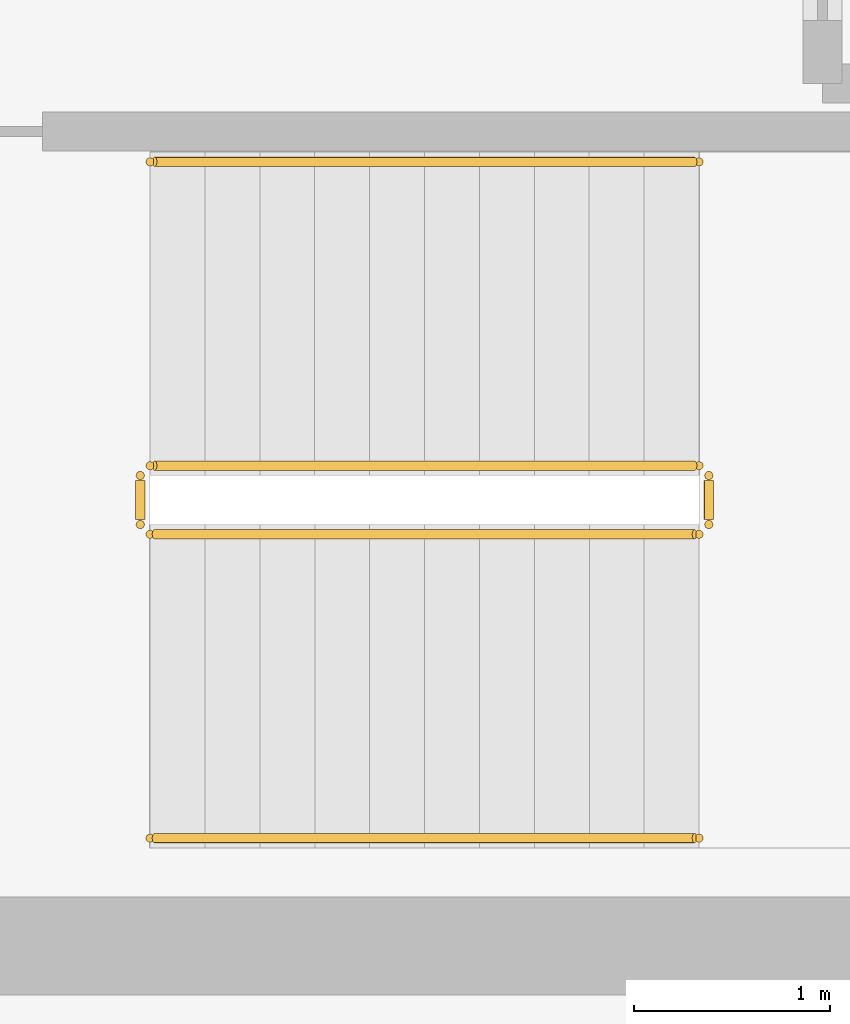
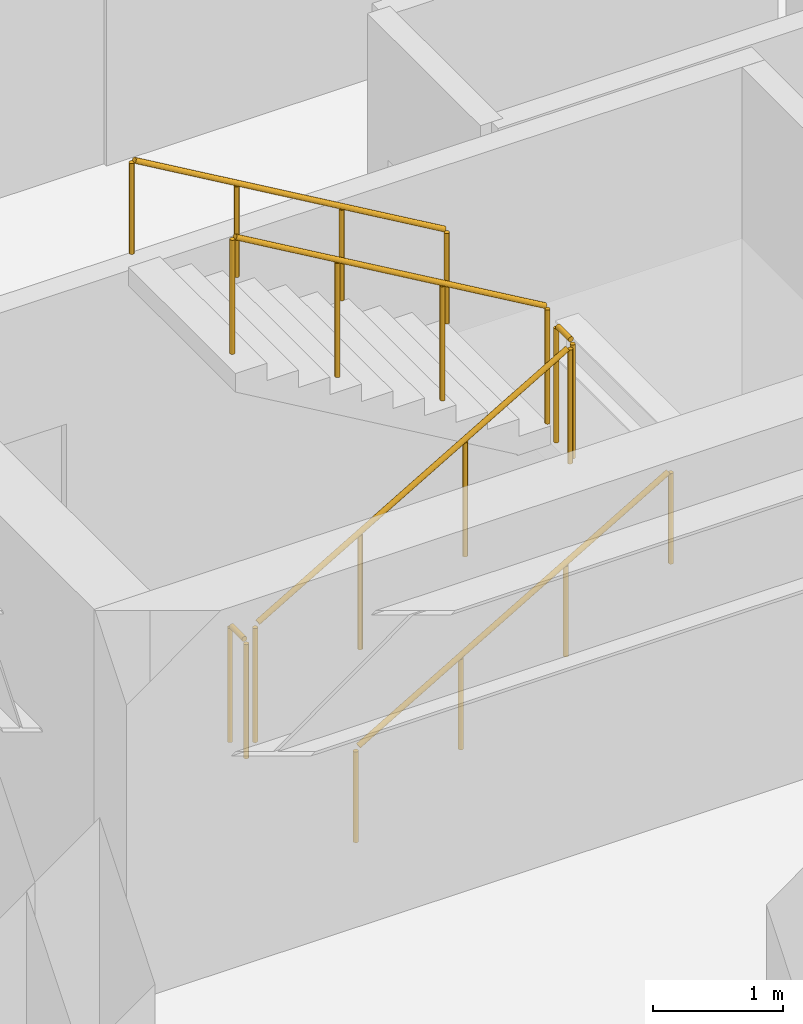
# One storey, part 11 of 11: 6 railings.
"""IFC4 building model written with IfcOpenShell, lengths in metres."""

from ifc_helpers import new_model, si_unit, direction, frame, origin, origin_2d, place, context, subcontext, project, spatial, circle, extrude, source, transform, mapped, material, layer, layer_set, type_object, element, save


model = new_model("IFC4")

# Units and contexts
model_context = context("Model", 3, precision=1e-05, world=origin(), true_north=direction((0.0, 1.0)))
body_context = subcontext(model_context, "Body", "Model", "MODEL_VIEW")
ifc_project = project(units=[si_unit("LENGTHUNIT", "METRE"), si_unit("AREAUNIT", "SQUARE_METRE"), si_unit("VOLUMEUNIT", "CUBIC_METRE"), si_unit("PLANEANGLEUNIT", "RADIAN"), si_unit("MASSUNIT", "GRAM", prefix="KILO")], contexts=[model_context])

# Site, building, storey
site_placement = place(None, origin())
site = spatial("IfcSite", under=ifc_project, at=site_placement, CompositionType="ELEMENT")
building_placement = place(site_placement, origin())
building = spatial("IfcBuilding", under=site, at=building_placement, Name="Kharzan Plaza Tower", CompositionType="ELEMENT")
storey_placement = place(building_placement, frame((0.0, 0.0, 234.0)))
storey = spatial("IfcBuildingStorey", under=building, at=storey_placement, Name="L63", CompositionType="ELEMENT", Elevation=234.0)

# Railings
ifc_material_1 = material(Name="Painted Galvanized Architectural Steel", Category="steel")
ifc_layer_1 = layer(ifc_material_1, 0.074951171875)
ifc_layer_set_1 = layer_set([ifc_layer_1], Name="Painted Galvanized Architectural Steel")
railing_type_1 = type_object("IfcRailingType", Name="RL-GUARD-1120", PredefinedType="BALUSTRADE", material=ifc_layer_set_1)
shared_shape_1 = source(origin(), body_context, "Body", "SweptSolid", [
    extrude(circle(Radius=0.02392578125, at=origin_2d()), frame((0.0, 0.0263671875, 1.09619140625), z_axis=(0.0, 1.0, 0.0), x_axis=(-1.0, 0.0, 0.0)), (0.0, 0.0, 1.0), 0.197021484375),
    extrude(circle(Radius=0.02099609375, at=origin_2d()), origin(), (0.0, 0.0, 1.0), 1.072021484375),
    extrude(circle(Radius=0.02099609375, at=origin_2d()), frame((0.0, 0.25, 0.0)), (0.0, 0.0, 1.0), 1.072021484375),
])
for number, where, name in (
    (1, (41.10009765625, 6.64990234375, 1.800048828125), "L63 ST-3 stair guard 2"),
    (2, (38.199951171875, 6.64990234375, 0.0), "L63 ST-3 stair guard 4"),
):
    element("IfcRailing", number, at=place(storey_placement, frame(where)), inside=storey, type_object=railing_type_1, Name=name, PredefinedType="BALUSTRADE", context=body_context, shape_type="MappedRepresentation", body=[
        mapped(shared_shape_1, transform((0.0, 0.0, 0.0), x_axis=(1.0, 0.0, 0.0), y_axis=(0.0, 1.0, 0.0), z_axis=(0.0, 0.0, 1.0))),
    ])
shared_shape_2 = source(origin(), body_context, "Body", "SweptSolid", [
    extrude(circle(Radius=0.02392578125, at=origin_2d()), frame((0.02294921875, 0.0, 1.109375), z_axis=(0.863360870873, 0.0, 0.504586966384), x_axis=(0.0, 1.0, 0.0)), (0.0, 0.0, 1.0), 3.190185546875),
    extrude(circle(Radius=0.02099609375, at=origin_2d()), origin(), (0.0, 0.0, 1.0), 1.072021484375),
    extrude(circle(Radius=0.02099609375, at=origin_2d()), frame((0.933349609375, 0.0, 0.54541015625)), (0.0, 0.0, 1.0), 1.072021484375),
    extrude(circle(Radius=0.02099609375, at=origin_2d()), frame((1.86669921875, 0.0, 1.091064453125)), (0.0, 0.0, 1.0), 1.072021484375),
    extrude(circle(Radius=0.02099609375, at=origin_2d()), frame((2.800048828125, 0.0, 1.636474609375)), (0.0, 0.0, 1.0), 1.072021484375),
])
railing_1_placement = place(storey_placement, frame((38.25, 6.60009765625, 0.16357421875)))
element("IfcRailing", 3, at=railing_1_placement, inside=storey, type_object=railing_type_1, Name="L63 ST-3 stair guard 1", PredefinedType="BALUSTRADE", context=body_context, shape_type="MappedRepresentation", body=[
    mapped(shared_shape_2, transform((0.0, 0.0, 0.0), x_axis=(1.0, 0.0, 0.0), y_axis=(0.0, 1.0, 0.0), z_axis=(0.0, 0.0, 1.0))),
])
shared_shape_3 = source(origin(), body_context, "Body", "SweptSolid", [
    extrude(circle(Radius=0.02392578125, at=origin_2d()), frame((-0.02294921875, 0.0, 1.109375), z_axis=(-0.863360870873, 0.0, 0.504586966384), x_axis=(0.0, -1.0, 0.0)), (0.0, 0.0, 1.0), 3.190185546875),
    extrude(circle(Radius=0.02099609375, at=origin_2d()), origin(), (0.0, 0.0, 1.0), 1.072021484375),
    extrude(circle(Radius=0.02099609375, at=origin_2d()), frame((-0.933349609375, 0.0, 0.54541015625)), (0.0, 0.0, 1.0), 1.072021484375),
    extrude(circle(Radius=0.02099609375, at=origin_2d()), frame((-1.86669921875, 0.0, 1.091064453125)), (0.0, 0.0, 1.0), 1.072021484375),
    extrude(circle(Radius=0.02099609375, at=origin_2d()), frame((-2.800048828125, 0.0, 1.636474609375)), (0.0, 0.0, 1.0), 1.072021484375),
])
railing_2_placement = place(storey_placement, frame((41.050048828125, 6.949951171875, 1.963623046875)))
element("IfcRailing", 4, at=railing_2_placement, inside=storey, type_object=railing_type_1, Name="L63 ST-3 stair guard 3", PredefinedType="BALUSTRADE", context=body_context, shape_type="MappedRepresentation", body=[
    mapped(shared_shape_3, transform((0.0, 0.0, 0.0), x_axis=(1.0, 0.0, 0.0), y_axis=(0.0, 1.0, 0.0), z_axis=(0.0, 0.0, 1.0))),
])
ifc_material_2 = material(Name="Brushed Stainless Steel", Category="steel")
ifc_layer_2 = layer(ifc_material_2, 0.050048828125)
ifc_layer_set_2 = layer_set([ifc_layer_2], Name="Brushed Stainless Steel")
railing_type_2 = type_object("IfcRailingType", Name="RL-STAIR-HR920", PredefinedType="HANDRAIL", material=ifc_layer_set_2)
shared_shape_4 = source(origin(), body_context, "Body", "SweptSolid", [
    extrude(circle(Radius=0.02392578125, at=origin_2d()), frame((0.02294921875, 0.0, 0.88916015625), z_axis=(0.863360870873, 0.0, 0.504586966384), x_axis=(0.0, 1.0, 0.0)), (0.0, 0.0, 1.0), 3.190185546875),
    extrude(circle(Radius=0.02099609375, at=origin_2d()), origin(), (0.0, 0.0, 1.0), 0.851806640625),
    extrude(circle(Radius=0.02099609375, at=origin_2d()), frame((0.933349609375, 0.0, 0.54541015625)), (0.0, 0.0, 1.0), 0.851806640625),
    extrude(circle(Radius=0.02099609375, at=origin_2d()), frame((1.86669921875, 0.0, 1.091064453125)), (0.0, 0.0, 1.0), 0.851806640625),
    extrude(circle(Radius=0.02099609375, at=origin_2d()), frame((2.800048828125, 0.0, 1.636474609375)), (0.0, 0.0, 1.0), 0.851806640625),
])
railing_3_placement = place(storey_placement, frame((38.25, 5.050048828125, 0.16357421875)))
element("IfcRailing", 5, at=railing_3_placement, inside=storey, type_object=railing_type_2, Name="L63 ST-3 stair handrail 1", PredefinedType="HANDRAIL", context=body_context, shape_type="MappedRepresentation", body=[
    mapped(shared_shape_4, transform((0.0, 0.0, 0.0), x_axis=(1.0, 0.0, 0.0), y_axis=(0.0, 1.0, 0.0), z_axis=(0.0, 0.0, 1.0))),
])
shared_shape_5 = source(origin(), body_context, "Body", "SweptSolid", [
    extrude(circle(Radius=0.02392578125, at=origin_2d()), frame((-0.02294921875, 0.0, 0.88916015625), z_axis=(-0.863360870873, 0.0, 0.504586966384), x_axis=(0.0, -1.0, 0.0)), (0.0, 0.0, 1.0), 3.190185546875),
    extrude(circle(Radius=0.02099609375, at=origin_2d()), origin(), (0.0, 0.0, 1.0), 0.851806640625),
    extrude(circle(Radius=0.02099609375, at=origin_2d()), frame((-0.933349609375, 0.0, 0.54541015625)), (0.0, 0.0, 1.0), 0.851806640625),
    extrude(circle(Radius=0.02099609375, at=origin_2d()), frame((-1.86669921875, 0.0, 1.091064453125)), (0.0, 0.0, 1.0), 0.851806640625),
    extrude(circle(Radius=0.02099609375, at=origin_2d()), frame((-2.800048828125, 0.0, 1.636474609375)), (0.0, 0.0, 1.0), 0.851806640625),
])
railing_4_placement = place(storey_placement, frame((41.050048828125, 8.5, 1.963623046875)))
element("IfcRailing", 6, at=railing_4_placement, inside=storey, type_object=railing_type_2, Name="L63 ST-3 stair handrail 2", PredefinedType="HANDRAIL", context=body_context, shape_type="MappedRepresentation", body=[
    mapped(shared_shape_5, transform((0.0, 0.0, 0.0), x_axis=(1.0, 0.0, 0.0), y_axis=(0.0, 1.0, 0.0), z_axis=(0.0, 0.0, 1.0))),
])

save(model, "model.ifc")
